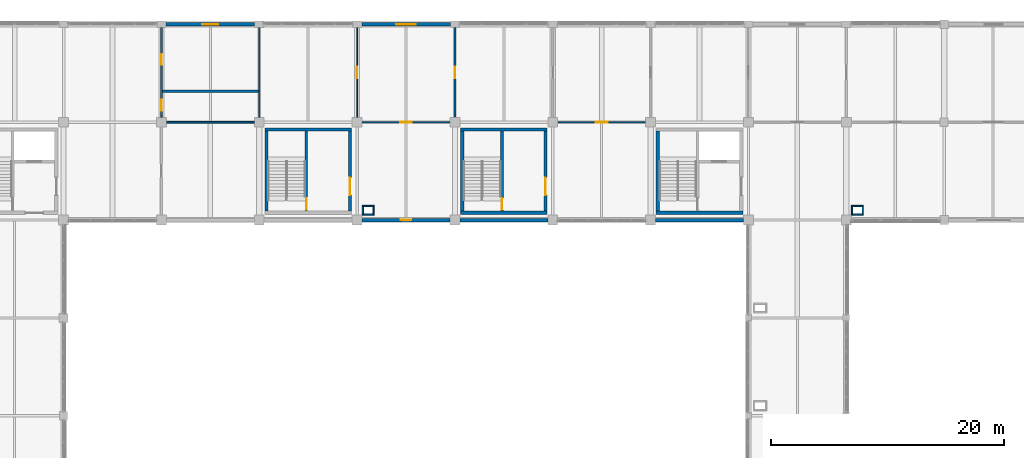
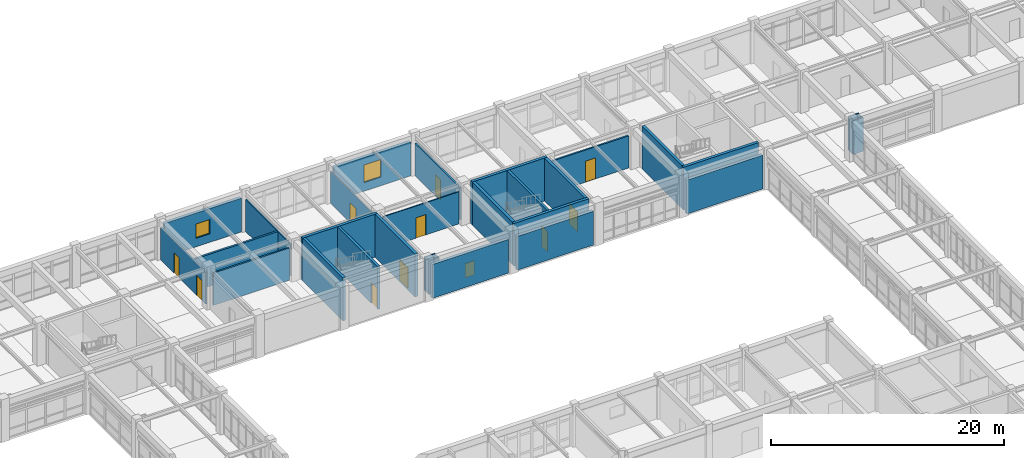
# One storey, part 68 of 78: 32 walls, 10 doors, 3 windows, 13 openings.
"""IFC4 building model written with IfcOpenShell, lengths in metres."""

from ifc_helpers import new_model, si_unit, direction, frame, frame_2d, origin, place, context, subcontext, project, spatial, rectangle, extrude, material, layer, layer_set, type_object, element, fill, save


model = new_model("IFC4")

# Units and contexts
model_context = context("Model", 3, precision=1e-05, world=origin(), true_north=direction((0.0, 1.0)))
body_context = subcontext(model_context, "Body", "Model", "MODEL_VIEW")
ifc_project = project(units=[si_unit("LENGTHUNIT", "METRE"), si_unit("AREAUNIT", "SQUARE_METRE"), si_unit("VOLUMEUNIT", "CUBIC_METRE"), si_unit("PLANEANGLEUNIT", "RADIAN"), si_unit("MASSUNIT", "GRAM", prefix="KILO")], contexts=[model_context])

# Site, building, storey
site_placement = place(None, origin())
site = spatial("IfcSite", under=ifc_project, at=site_placement, CompositionType="ELEMENT")
building_placement = place(site_placement, origin())
building = spatial("IfcBuilding", under=site, at=building_placement, Name="Porcellanite Civic Hall", CompositionType="ELEMENT")
storey_placement = place(building_placement, frame((0.0, 0.0, 10.260009765625)))
storey = spatial("IfcBuildingStorey", under=building, at=storey_placement, Name="L02", CompositionType="ELEMENT", Elevation=10.260009765625)

# Wall, opening, door
ifc_material_1 = material(Name="Concrete N40 (40 MPa)", Category="concrete")
ifc_layer_1 = layer(ifc_material_1, 0.239990234375)
ifc_layer_set_1 = layer_set([ifc_layer_1], Name="Concrete N40 (40 MPa)")
wall_type_1 = type_object("IfcWallType", Name="CW-SH240", PredefinedType="SHEAR", material=ifc_layer_set_1)
wall_1_placement = place(storey_placement, frame((79.639892578125, 101.56005859375, 0.0), z_axis=(0.0, 0.0, 1.0), x_axis=(0.0, 1.0, 0.0)))
wall_1 = element("IfcWall", 1, at=wall_1_placement, inside=storey, type_object=wall_type_1, Name="Core divider S9 L02", PredefinedType="SHEAR", context=body_context, shape_type="SweptSolid", body=[
    extrude(rectangle(XDim=6.8798828125, YDim=0.239990234375, at=frame_2d((3.43994140625, 0.0))), origin(), (0.0, 0.0, 1.0), 4.5),
])
opening_1_placement = place(wall_1_placement, frame((0.1201171875, 0.0, 0.0)))
opening_1 = element("IfcOpeningElement", 2, at=opening_1_placement, cuts=wall_1, Name="Opening FD-S9-L02-ST", PredefinedType="OPENING", context=body_context, shape_type="SweptSolid", body=[
    extrude(rectangle(XDim=1.0, YDim=2.14990234375, at=frame_2d((0.5, 1.074951171875))), frame((0.0, 0.1201171875, 0.0), z_axis=(0.0, -1.0, 0.0), x_axis=(1.0, 0.0, 0.0)), (0.0, 0.0, 1.0), 0.239990234375),
])
ifc_material_2 = material(Name="Fire-rated solid-core hardwood timber", Category="wood")
door_type_1 = type_object("IfcDoorType", Name="DR-FD100", OperationType="NOTDEFINED", PredefinedType="DOOR", material=ifc_material_2)
door_1_placement = place(opening_1_placement, origin())
door_1 = element("IfcDoor", 3, at=door_1_placement, inside=storey, type_object=door_type_1, Name="Fire stair door FD-S9-L02-ST", OperationType="SINGLE_SWING_RIGHT", OverallHeight=2.14990234375, OverallWidth=1.0, PredefinedType="DOOR", context=body_context, shape_type="SweptSolid", body=[
    extrude(rectangle(XDim=1.0, YDim=2.14990234375, at=frame_2d((0.5, 1.074951171875))), frame((0.0, 0.02490234375, 0.0), z_axis=(0.0, -1.0, 0.0), x_axis=(1.0, 0.0, 0.0)), (0.0, 0.0, 1.0), 0.050048828125),
])
fill(opening_1, door_1)

wall_2_placement = place(storey_placement, frame((96.43994140625, 101.56005859375, 0.0), z_axis=(0.0, 0.0, 1.0), x_axis=(0.0, 1.0, 0.0)))
wall_2 = element("IfcWall", 4, at=wall_2_placement, inside=storey, type_object=wall_type_1, Name="Core divider S10 L02", PredefinedType="SHEAR", context=body_context, shape_type="SweptSolid", body=[
    extrude(rectangle(XDim=6.8798828125, YDim=0.239990234375, at=frame_2d((3.43994140625, 0.0))), origin(), (0.0, 0.0, 1.0), 4.5),
])
opening_2_placement = place(wall_2_placement, frame((0.1201171875, 0.0, 0.0)))
opening_2 = element("IfcOpeningElement", 5, at=opening_2_placement, cuts=wall_2, Name="Opening FD-S10-L02-ST", PredefinedType="OPENING", context=body_context, shape_type="SweptSolid", body=[
    extrude(rectangle(XDim=1.0, YDim=2.14990234375, at=frame_2d((0.5, 1.074951171875))), frame((0.0, 0.1201171875, 0.0), z_axis=(0.0, -1.0, 0.0), x_axis=(1.0, 0.0, 0.0)), (0.0, 0.0, 1.0), 0.239990234375),
])
door_2_placement = place(opening_2_placement, origin())
door_2 = element("IfcDoor", 6, at=door_2_placement, inside=storey, type_object=door_type_1, Name="Fire stair door FD-S10-L02-ST", OperationType="SINGLE_SWING_LEFT", OverallHeight=2.14990234375, OverallWidth=1.0, PredefinedType="DOOR", context=body_context, shape_type="SweptSolid", body=[
    extrude(rectangle(XDim=1.0, YDim=2.14990234375, at=frame_2d((0.5, 1.074951171875))), frame((0.0, 0.02490234375, 0.0), z_axis=(0.0, -1.0, 0.0), x_axis=(1.0, 0.0, 0.0)), (0.0, 0.0, 1.0), 0.050048828125),
])
fill(opening_2, door_2)

# Walls
ifc_material_3 = material(Name="Concrete N40 (40 MPa)", Category="concrete")
ifc_layer_2 = layer(ifc_material_3, 0.280029296875)
ifc_layer_set_2 = layer_set([ifc_layer_2], Name="Concrete N40 (40 MPa)")
wall_type_2 = type_object("IfcWallType", Name="CW-SH280", PredefinedType="SHEAR", material=ifc_layer_set_2)
wall_3_placement = place(storey_placement, frame((117.1201171875, 101.419921875, 0.0), z_axis=(0.0, 0.0, 1.0), x_axis=(-1.0, 0.0, 0.0)))
element("IfcWall", 7, at=wall_3_placement, inside=storey, type_object=wall_type_2, Name="Core wall C4 L02 S", PredefinedType="SHEAR", context=body_context, shape_type="SweptSolid", body=[
    extrude(rectangle(XDim=7.440185546875, YDim=0.280029296875, at=frame_2d((3.72021484375, 0.0))), origin(), (0.0, 0.0, 1.0), 4.5),
])
for number, where, z_axis, x_axis, name in (
    (8, (109.820068359375, 101.56005859375, 0.0), (0.0, 0.0, 1.0), (0.0, 1.0, 0.0), "Core wall C4 L02 W"),
    (9, (76.219970703125, 101.56005859375, 0.0), (0.0, 0.0, 1.0), (0.0, 1.0, 0.0), "Core wall S9 L02 W"),
):
    element("IfcWall", number, at=place(storey_placement, frame(where, z_axis=z_axis, x_axis=x_axis)), inside=storey, type_object=wall_type_2, Name=name, PredefinedType="SHEAR", context=body_context, shape_type="SweptSolid", body=[
        extrude(rectangle(XDim=6.8798828125, YDim=0.280029296875, at=frame_2d((3.43994140625, 0.0))), origin(), (0.0, 0.0, 1.0), 4.5),
    ])
wall_4_placement = place(storey_placement, frame((76.080078125, 108.580078125, 0.0), z_axis=(0.0, 0.0, 1.0), x_axis=(1.0, 0.0, 0.0)))
element("IfcWall", 10, at=wall_4_placement, inside=storey, type_object=wall_type_2, Name="Core wall S9 L02 N", PredefinedType="SHEAR", context=body_context, shape_type="SweptSolid", body=[
    extrude(rectangle(XDim=7.43994140625, YDim=0.280029296875, at=frame_2d((3.719970703125, 0.0))), origin(), (0.0, 0.0, 1.0), 4.5),
])

# Wall, opening, door
wall_5_placement = place(storey_placement, frame((83.3798828125, 108.43994140625, 0.0), z_axis=(0.0, 0.0, 1.0), x_axis=(0.0, -1.0, 0.0)))
wall_5 = element("IfcWall", 11, at=wall_5_placement, inside=storey, type_object=wall_type_2, Name="Core wall S9 L02 E", PredefinedType="SHEAR", context=body_context, shape_type="SweptSolid", body=[
    extrude(rectangle(XDim=6.8798828125, YDim=0.280029296875, at=frame_2d((3.43994140625, 0.0))), origin(), (0.0, 0.0, 1.0), 4.5),
])
opening_3_placement = place(wall_5_placement, frame((3.989990234375, 0.0, 0.0)))
opening_3 = element("IfcOpeningElement", 12, at=opening_3_placement, cuts=wall_5, Name="Opening FD-S9-L02-LB", PredefinedType="OPENING", context=body_context, shape_type="SweptSolid", body=[
    extrude(rectangle(XDim=1.5, YDim=2.14990234375, at=frame_2d((0.75, 1.074951171875))), frame((0.0, 0.14013671875, 0.0), z_axis=(0.0, -1.0, 0.0), x_axis=(1.0, 0.0, 0.0)), (0.0, 0.0, 1.0), 0.280029296875),
])
ifc_material_4 = material(Name="Fire-rated steel and Georgian wired glass", Category="steel")
door_type_2 = type_object("IfcDoorType", Name="DR-FD150", OperationType="DOUBLE_DOOR_SINGLE_SWING", PredefinedType="DOOR", material=ifc_material_4)
door_3_placement = place(opening_3_placement, origin())
door_3 = element("IfcDoor", 13, at=door_3_placement, inside=storey, type_object=door_type_2, Name="Fire lobby double door FD-S9-L02-LB", OperationType="DOUBLE_DOOR_SINGLE_SWING", OverallHeight=2.14990234375, OverallWidth=1.5, PredefinedType="DOOR", context=body_context, shape_type="SweptSolid", body=[
    extrude(rectangle(XDim=1.5, YDim=2.14990234375, at=frame_2d((0.75, 1.074951171875))), frame((0.0, 0.02490234375, 0.0), z_axis=(0.0, -1.0, 0.0), x_axis=(1.0, 0.0, 0.0)), (0.0, 0.0, 1.0), 0.050048828125),
])
fill(opening_3, door_3)

# Walls
wall_6_placement = place(storey_placement, frame((100.320068359375, 101.419921875, 0.0), z_axis=(0.0, 0.0, 1.0), x_axis=(-1.0, 0.0, 0.0)))
element("IfcWall", 14, at=wall_6_placement, inside=storey, type_object=wall_type_2, Name="Core wall S10 L02 S", PredefinedType="SHEAR", context=body_context, shape_type="SweptSolid", body=[
    extrude(rectangle(XDim=7.440185546875, YDim=0.280029296875, at=frame_2d((3.72021484375, 0.0))), origin(), (0.0, 0.0, 1.0), 4.5),
])
wall_7_placement = place(storey_placement, frame((93.02001953125, 101.56005859375, 0.0), z_axis=(0.0, 0.0, 1.0), x_axis=(0.0, 1.0, 0.0)))
element("IfcWall", 15, at=wall_7_placement, inside=storey, type_object=wall_type_2, Name="Core wall S10 L02 W", PredefinedType="SHEAR", context=body_context, shape_type="SweptSolid", body=[
    extrude(rectangle(XDim=6.8798828125, YDim=0.280029296875, at=frame_2d((3.43994140625, 0.0))), origin(), (0.0, 0.0, 1.0), 4.5),
])
wall_8_placement = place(storey_placement, frame((92.8798828125, 108.580078125, 0.0), z_axis=(0.0, 0.0, 1.0), x_axis=(1.0, 0.0, 0.0)))
element("IfcWall", 16, at=wall_8_placement, inside=storey, type_object=wall_type_2, Name="Core wall S10 L02 N", PredefinedType="SHEAR", context=body_context, shape_type="SweptSolid", body=[
    extrude(rectangle(XDim=7.440185546875, YDim=0.280029296875, at=frame_2d((3.72021484375, 0.0))), origin(), (0.0, 0.0, 1.0), 4.5),
])

# Wall, opening, door
wall_9_placement = place(storey_placement, frame((100.179931640625, 108.43994140625, 0.0), z_axis=(0.0, 0.0, 1.0), x_axis=(0.0, -1.0, 0.0)))
wall_9 = element("IfcWall", 17, at=wall_9_placement, inside=storey, type_object=wall_type_2, Name="Core wall S10 L02 E", PredefinedType="SHEAR", context=body_context, shape_type="SweptSolid", body=[
    extrude(rectangle(XDim=6.8798828125, YDim=0.280029296875, at=frame_2d((3.43994140625, 0.0))), origin(), (0.0, 0.0, 1.0), 4.5),
])
opening_4_placement = place(wall_9_placement, frame((3.989990234375, 0.0, 0.0)))
opening_4 = element("IfcOpeningElement", 18, at=opening_4_placement, cuts=wall_9, Name="Opening FD-S10-L02-LB", PredefinedType="OPENING", context=body_context, shape_type="SweptSolid", body=[
    extrude(rectangle(XDim=1.5, YDim=2.14990234375, at=frame_2d((0.75, 1.074951171875))), frame((0.0, 0.14013671875, 0.0), z_axis=(0.0, -1.0, 0.0), x_axis=(1.0, 0.0, 0.0)), (0.0, 0.0, 1.0), 0.280029296875),
])
door_4_placement = place(opening_4_placement, origin())
door_4 = element("IfcDoor", 19, at=door_4_placement, inside=storey, type_object=door_type_2, Name="Fire lobby double door FD-S10-L02-LB", OperationType="DOUBLE_DOOR_SINGLE_SWING", OverallHeight=2.14990234375, OverallWidth=1.5, PredefinedType="DOOR", context=body_context, shape_type="SweptSolid", body=[
    extrude(rectangle(XDim=1.5, YDim=2.14990234375, at=frame_2d((0.75, 1.074951171875))), frame((0.0, 0.02490234375, 0.0), z_axis=(0.0, -1.0, 0.0), x_axis=(1.0, 0.0, 0.0)), (0.0, 0.0, 1.0), 0.050048828125),
])
fill(opening_4, door_4)

# Wall, opening, window
ifc_material_5 = material(Name="Precast concrete N40 (40 MPa)", Category="concrete")
ifc_layer_3 = layer(ifc_material_5, 0.300048828125)
ifc_layer_set_3 = layer_set([ifc_layer_3], Name="Precast concrete N40 (40 MPa)")
wall_type_3 = type_object("IfcWallType", Name="EW-ADM300", PredefinedType="SOLIDWALL", material=ifc_layer_set_3)
wall_10_placement = place(storey_placement, frame((67.60107421875, 117.60009765625, 0.0), z_axis=(0.0, 0.0, 1.0), x_axis=(1.0, 0.0, 0.0)))
wall_10 = element("IfcWall", 20, at=wall_10_placement, inside=storey, type_object=wall_type_3, Name="Exterior wall L02 N 9-14", PredefinedType="SOLIDWALL", context=body_context, shape_type="SweptSolid", body=[
    extrude(rectangle(XDim=7.597900390625, YDim=0.300048828125, at=frame_2d((3.798828125, 0.0))), origin(), (0.0, 0.0, 1.0), 3.5400390625),
])
opening_5_placement = place(wall_10_placement, frame((3.1240234375, 0.0, 0.89990234375)))
opening_5 = element("IfcOpeningElement", 21, at=opening_5_placement, cuts=wall_10, Name="Opening W23", PredefinedType="OPENING", context=body_context, shape_type="SweptSolid", body=[
    extrude(rectangle(XDim=1.35009765625, YDim=1.5, at=frame_2d((0.675048828125, 0.75))), frame((0.0, 0.14990234375, 0.0), z_axis=(0.0, -1.0, 0.0), x_axis=(1.0, 0.0, 0.0)), (0.0, 0.0, 1.0), 0.300048828125),
])
ifc_material_6 = material(Name="Cyclone laminated low-E glazing in anodised aluminium frame", Category="aluminium")
window_type_1 = type_object("IfcWindowType", Name="WN-23", PartitioningType="SINGLE_PANEL", PredefinedType="WINDOW", material=ifc_material_6)
window_1_placement = place(opening_5_placement, origin())
window_1 = element("IfcWindow", 22, at=window_1_placement, inside=storey, type_object=window_type_1, Name="Window W23 L02 N 9-14", OverallHeight=1.5, OverallWidth=1.35009765625, PartitioningType="SINGLE_PANEL", PredefinedType="WINDOW", context=body_context, shape_type="SweptSolid", body=[
    extrude(rectangle(XDim=1.35009765625, YDim=1.5, at=frame_2d((0.675048828125, 0.75))), frame((0.0, 0.030029296875, 0.0), z_axis=(0.0, -1.0, 0.0), x_axis=(1.0, 0.0, 0.0)), (0.0, 0.0, 1.0), 0.06005859375),
])
fill(opening_5, window_1)

wall_11_placement = place(storey_placement, frame((91.97412109375, 100.800048828125, 0.0), z_axis=(0.0, 0.0, 1.0), x_axis=(-1.0, 0.0, 0.0)))
wall_11 = element("IfcWall", 23, at=wall_11_placement, inside=storey, type_object=wall_type_3, Name="Exterior wall L02 S 11-13", PredefinedType="SOLIDWALL", context=body_context, shape_type="SweptSolid", body=[
    extrude(rectangle(XDim=7.548095703125, YDim=0.300048828125, at=frame_2d((3.77392578125, 0.0))), origin(), (0.0, 0.0, 1.0), 3.5400390625),
])
opening_6_placement = place(wall_11_placement, frame((3.323974609375, 0.0, 0.89990234375)))
opening_6 = element("IfcOpeningElement", 24, at=opening_6_placement, cuts=wall_11, Name="Opening W26", PredefinedType="OPENING", context=body_context, shape_type="SweptSolid", body=[
    extrude(rectangle(XDim=0.89990234375, YDim=1.5, at=frame_2d((0.449951171875, 0.75))), frame((0.0, 0.14990234375, 0.0), z_axis=(0.0, -1.0, 0.0), x_axis=(1.0, 0.0, 0.0)), (0.0, 0.0, 1.0), 0.300048828125),
])
ifc_material_7 = material(Name="Cyclone laminated low-E glazing in anodised aluminium frame", Category="aluminium")
window_type_2 = type_object("IfcWindowType", Name="WN-26", PartitioningType="SINGLE_PANEL", PredefinedType="WINDOW", material=ifc_material_7)
window_2_placement = place(opening_6_placement, origin())
window_2 = element("IfcWindow", 25, at=window_2_placement, inside=storey, type_object=window_type_2, Name="Window W26 L02 S 11-13", OverallHeight=1.5, OverallWidth=0.89990234375, PartitioningType="SINGLE_PANEL", PredefinedType="WINDOW", context=body_context, shape_type="SweptSolid", body=[
    extrude(rectangle(XDim=0.89990234375, YDim=1.5, at=frame_2d((0.449951171875, 0.75))), frame((0.0, 0.030029296875, 0.0), z_axis=(0.0, -1.0, 0.0), x_axis=(1.0, 0.0, 0.0)), (0.0, 0.0, 1.0), 0.06005859375),
])
fill(opening_6, window_2)

wall_12_placement = place(storey_placement, frame((84.40087890625, 117.60009765625, 0.0), z_axis=(0.0, 0.0, 1.0), x_axis=(1.0, 0.0, 0.0)))
wall_12 = element("IfcWall", 26, at=wall_12_placement, inside=storey, type_object=wall_type_3, Name="Exterior wall L02 N 11-14", PredefinedType="SOLIDWALL", context=body_context, shape_type="SweptSolid", body=[
    extrude(rectangle(XDim=7.59814453125, YDim=0.300048828125, at=frame_2d((3.799072265625, 0.0))), origin(), (0.0, 0.0, 1.0), 3.5400390625),
])
opening_7_placement = place(wall_12_placement, frame((2.948974609375, 0.0, 0.89990234375)))
opening_7 = element("IfcOpeningElement", 27, at=opening_7_placement, cuts=wall_12, Name="Opening W27", PredefinedType="OPENING", context=body_context, shape_type="SweptSolid", body=[
    extrude(rectangle(XDim=1.699951171875, YDim=1.85009765625, at=frame_2d((0.85009765625, 0.925048828125))), frame((0.0, 0.14990234375, 0.0), z_axis=(0.0, -1.0, 0.0), x_axis=(1.0, 0.0, 0.0)), (0.0, 0.0, 1.0), 0.300048828125),
])
ifc_material_8 = material(Name="Cyclone laminated low-E glazing in anodised aluminium frame", Category="aluminium")
window_type_3 = type_object("IfcWindowType", Name="WN-27", PartitioningType="DOUBLE_PANEL_VERTICAL", PredefinedType="WINDOW", material=ifc_material_8)
window_3_placement = place(opening_7_placement, origin())
window_3 = element("IfcWindow", 28, at=window_3_placement, inside=storey, type_object=window_type_3, Name="Window W27 L02 N 11-14", OverallHeight=1.85009765625, OverallWidth=1.699951171875, PartitioningType="SINGLE_PANEL", PredefinedType="WINDOW", context=body_context, shape_type="SweptSolid", body=[
    extrude(rectangle(XDim=1.699951171875, YDim=1.85009765625, at=frame_2d((0.85009765625, 0.925048828125))), frame((0.0, 0.030029296875, 0.0), z_axis=(0.0, -1.0, 0.0), x_axis=(1.0, 0.0, 0.0)), (0.0, 0.0, 1.0), 0.06005859375),
])
fill(opening_7, window_3)

# Walls
for number, where, z_axis, x_axis, name in (
    (29, (100.3740234375, 100.800048828125, 0.0), (0.0, 0.0, 1.0), (-1.0, 0.0, 0.0), "Exterior wall L02 S 12-13"),
    (30, (117.174072265625, 100.800048828125, 0.0), (0.0, 0.0, 1.0), (-1.0, 0.0, 0.0), "Exterior wall L02 S 14-13"),
):
    element("IfcWall", number, at=place(storey_placement, frame(where, z_axis=z_axis, x_axis=x_axis)), inside=storey, type_object=wall_type_3, Name=name, PredefinedType="SOLIDWALL", context=body_context, shape_type="SweptSolid", body=[
        extrude(rectangle(XDim=7.548095703125, YDim=0.300048828125, at=frame_2d((3.77392578125, 0.0))), origin(), (0.0, 0.0, 1.0), 3.5400390625),
    ])
ifc_material_9 = material(Name="Fire-rated shaftwall plasterboard on steel studs", Category="steel")
ifc_layer_4 = layer(ifc_material_9, 0.117919921875)
ifc_layer_set_4 = layer_set([ifc_layer_4], Name="Fire-rated shaftwall plasterboard on steel studs")
wall_type_4 = type_object("IfcWallType", Name="IW-FR118", PredefinedType="PARTITIONING", material=ifc_layer_set_4)
for number, where, z_axis, x_axis, name in (
    (31, (84.431884765625, 101.291015625, 0.0), (0.0, 0.0, 1.0), (1.0, 0.0, 0.0), "Fire riser shaftwall S L02 10-12"),
    (32, (84.431884765625, 102.009033203125, 0.0), (0.0, 0.0, 1.0), (1.0, 0.0, 0.0), "Fire riser shaftwall N L02 10-12"),
):
    element("IfcWall", number, at=place(storey_placement, frame(where, z_axis=z_axis, x_axis=x_axis)), inside=storey, type_object=wall_type_4, Name=name, PredefinedType="PARTITIONING", context=body_context, shape_type="SweptSolid", body=[
        extrude(rectangle(XDim=1.0361328125, YDim=0.117919921875, at=frame_2d((0.51806640625, 0.0))), origin(), (0.0, 0.0, 1.0), 3.530029296875),
    ])
for number, where, z_axis, x_axis, name in (
    (33, (84.490966796875, 101.35009765625, 0.0), (0.0, 0.0, 1.0), (0.0, 1.0, 0.0), "Fire riser shaftwall W L02 10-12"),
    (34, (85.408935546875, 101.35009765625, 0.0), (0.0, 0.0, 1.0), (0.0, 1.0, 0.0), "Fire riser shaftwall E L02 10-12"),
):
    element("IfcWall", number, at=place(storey_placement, frame(where, z_axis=z_axis, x_axis=x_axis)), inside=storey, type_object=wall_type_4, Name=name, PredefinedType="PARTITIONING", context=body_context, shape_type="SweptSolid", body=[
        extrude(rectangle(XDim=0.599853515625, YDim=0.117919921875, at=frame_2d((0.2998046875, 0.0))), origin(), (0.0, 0.0, 1.0), 3.530029296875),
    ])
for number, where, z_axis, x_axis, name in (
    (35, (126.431884765625, 101.291015625, 0.0), (0.0, 0.0, 1.0), (1.0, 0.0, 0.0), "Fire riser shaftwall S L02 15-12"),
    (36, (126.431884765625, 102.009033203125, 0.0), (0.0, 0.0, 1.0), (1.0, 0.0, 0.0), "Fire riser shaftwall N L02 15-12"),
):
    element("IfcWall", number, at=place(storey_placement, frame(where, z_axis=z_axis, x_axis=x_axis)), inside=storey, type_object=wall_type_4, Name=name, PredefinedType="PARTITIONING", context=body_context, shape_type="SweptSolid", body=[
        extrude(rectangle(XDim=1.0361328125, YDim=0.117919921875, at=frame_2d((0.51806640625, 0.0))), origin(), (0.0, 0.0, 1.0), 3.530029296875),
    ])
for number, where, z_axis, x_axis, name in (
    (37, (126.490966796875, 101.35009765625, 0.0), (0.0, 0.0, 1.0), (0.0, 1.0, 0.0), "Fire riser shaftwall W L02 15-12"),
    (38, (127.408935546875, 101.35009765625, 0.0), (0.0, 0.0, 1.0), (0.0, 1.0, 0.0), "Fire riser shaftwall E L02 15-12"),
):
    element("IfcWall", number, at=place(storey_placement, frame(where, z_axis=z_axis, x_axis=x_axis)), inside=storey, type_object=wall_type_4, Name=name, PredefinedType="PARTITIONING", context=body_context, shape_type="SweptSolid", body=[
        extrude(rectangle(XDim=0.599853515625, YDim=0.117919921875, at=frame_2d((0.2998046875, 0.0))), origin(), (0.0, 0.0, 1.0), 3.530029296875),
    ])

# Wall, opening, door
ifc_material_10 = material(Name="Insulated acoustic plasterboard on light-gauge steel studs", Category="steel")
ifc_layer_5 = layer(ifc_material_10, 0.087890625)
ifc_layer_set_5 = layer_set([ifc_layer_5], Name="Insulated acoustic plasterboard on light-gauge steel studs")
wall_type_5 = type_object("IfcWallType", Name="IW-PT088", PredefinedType="PARTITIONING", material=ifc_layer_set_5)
wall_13_placement = place(storey_placement, frame((84.0, 109.626953125, 0.0), z_axis=(0.0, 0.0, 1.0), x_axis=(0.0, 1.0, 0.0)))
wall_13 = element("IfcWall", 39, at=wall_13_placement, inside=storey, type_object=wall_type_5, Name="Partition L02 V 10-14", PredefinedType="PARTITIONING", context=body_context, shape_type="SweptSolid", body=[
    extrude(rectangle(XDim=7.696044921875, YDim=0.087890625, at=frame_2d((3.84814453125, 0.0))), origin(), (0.0, 0.0, 1.0), 3.369873046875),
])
opening_8_placement = place(wall_13_placement, frame((3.343017578125, 0.0, 0.0)))
opening_8 = element("IfcOpeningElement", 40, at=opening_8_placement, cuts=wall_13, Name="Opening D-L02-374", PredefinedType="OPENING", context=body_context, shape_type="SweptSolid", body=[
    extrude(rectangle(XDim=1.010009765625, YDim=2.1201171875, at=frame_2d((0.5048828125, 1.06005859375))), frame((0.0, 0.0439453125, 0.0), z_axis=(0.0, -1.0, 0.0), x_axis=(1.0, 0.0, 0.0)), (0.0, 0.0, 1.0), 0.087890625),
])
ifc_material_11 = material(Name="Solid-core spotted-gum timber", Category="wood")
door_type_3 = type_object("IfcDoorType", Name="DR-RM101", OperationType="NOTDEFINED", PredefinedType="DOOR", material=ifc_material_11)
door_5_placement = place(opening_8_placement, origin())
door_5 = element("IfcDoor", 41, at=door_5_placement, inside=storey, type_object=door_type_3, Name="Interior door D-L02-374", OperationType="SINGLE_SWING_RIGHT", OverallHeight=2.1201171875, OverallWidth=1.010009765625, PredefinedType="DOOR", context=body_context, shape_type="SweptSolid", body=[
    extrude(rectangle(XDim=1.010009765625, YDim=2.1201171875, at=frame_2d((0.5048828125, 1.06005859375))), frame((0.0, 0.02490234375, 0.0), z_axis=(0.0, -1.0, 0.0), x_axis=(1.0, 0.0, 0.0)), (0.0, 0.0, 1.0), 0.050048828125),
])
fill(opening_8, door_5)

ifc_material_12 = material(Name="Insulated acoustic plasterboard on light-gauge steel studs", Category="steel")
ifc_layer_6 = layer(ifc_material_12, 0.10498046875)
ifc_layer_set_6 = layer_set([ifc_layer_6], Name="Insulated acoustic plasterboard on light-gauge steel studs")
wall_type_6 = type_object("IfcWallType", Name="IW-PT105", PredefinedType="PARTITIONING", material=ifc_layer_set_6)
wall_14_placement = place(storey_placement, frame((84.427001953125, 109.199951171875, 0.0), z_axis=(0.0, 0.0, 1.0), x_axis=(1.0, 0.0, 0.0)))
wall_14 = element("IfcWall", 42, at=wall_14_placement, inside=storey, type_object=wall_type_6, Name="Partition L02 H 11-13", PredefinedType="PARTITIONING", context=body_context, shape_type="SweptSolid", body=[
    extrude(rectangle(XDim=7.5458984375, YDim=0.10498046875, at=frame_2d((3.77294921875, 0.0))), origin(), (0.0, 0.0, 1.0), 3.369873046875),
])
opening_9_placement = place(wall_14_placement, frame((3.2880859375, 0.0, 0.0)))
opening_9 = element("IfcOpeningElement", 43, at=opening_9_placement, cuts=wall_14, Name="Opening D-L02-336", PredefinedType="OPENING", context=body_context, shape_type="SweptSolid", body=[
    extrude(rectangle(XDim=0.969970703125, YDim=2.1201171875, at=frame_2d((0.48486328125, 1.06005859375))), frame((0.0, 0.052490234375, 0.0), z_axis=(0.0, -1.0, 0.0), x_axis=(1.0, 0.0, 0.0)), (0.0, 0.0, 1.0), 0.10498046875),
])
ifc_material_13 = material(Name="Solid-core spotted-gum timber", Category="wood")
door_type_4 = type_object("IfcDoorType", Name="DR-RM097", OperationType="NOTDEFINED", PredefinedType="DOOR", material=ifc_material_13)
door_6_placement = place(opening_9_placement, origin())
door_6 = element("IfcDoor", 44, at=door_6_placement, inside=storey, type_object=door_type_4, Name="Interior door D-L02-336", OperationType="SINGLE_SWING_LEFT", OverallHeight=2.1201171875, OverallWidth=0.969970703125, PredefinedType="DOOR", context=body_context, shape_type="SweptSolid", body=[
    extrude(rectangle(XDim=0.969970703125, YDim=2.1201171875, at=frame_2d((0.48486328125, 1.06005859375))), frame((0.0, 0.02490234375, 0.0), z_axis=(0.0, -1.0, 0.0), x_axis=(1.0, 0.0, 0.0)), (0.0, 0.0, 1.0), 0.050048828125),
])
fill(opening_9, door_6)

# Wall
ifc_material_14 = material(Name="Insulated acoustic plasterboard on light-gauge steel studs", Category="steel")
ifc_layer_7 = layer(ifc_material_14, 0.114990234375)
ifc_layer_set_7 = layer_set([ifc_layer_7], Name="Insulated acoustic plasterboard on light-gauge steel studs")
wall_type_7 = type_object("IfcWallType", Name="IW-PT115", PredefinedType="PARTITIONING", material=ifc_layer_set_7)
wall_15_placement = place(storey_placement, frame((75.60009765625, 109.626953125, 0.0), z_axis=(0.0, 0.0, 1.0), x_axis=(0.0, 1.0, 0.0)))
element("IfcWall", 45, at=wall_15_placement, inside=storey, type_object=wall_type_7, Name="Partition L02 V 9-14", PredefinedType="PARTITIONING", context=body_context, shape_type="SweptSolid", body=[
    extrude(rectangle(XDim=7.696044921875, YDim=0.114990234375, at=frame_2d((3.84814453125, 0.0))), origin(), (0.0, 0.0, 1.0), 3.369873046875),
])

# Wall, openings, doors
ifc_material_15 = material(Name="Insulated acoustic plasterboard on light-gauge steel studs", Category="steel")
ifc_layer_8 = layer(ifc_material_15, 0.14501953125)
ifc_layer_set_8 = layer_set([ifc_layer_8], Name="Insulated acoustic plasterboard on light-gauge steel studs")
wall_type_8 = type_object("IfcWallType", Name="IW-PT145", PredefinedType="PARTITIONING", material=ifc_layer_set_8)
wall_16_placement = place(storey_placement, frame((67.199951171875, 109.626953125, 0.0), z_axis=(0.0, 0.0, 1.0), x_axis=(0.0, 1.0, 0.0)))
wall_16 = element("IfcWall", 46, at=wall_16_placement, inside=storey, type_object=wall_type_8, Name="Partition L02 V 8-14", PredefinedType="PARTITIONING", context=body_context, shape_type="SweptSolid", body=[
    extrude(rectangle(XDim=7.696044921875, YDim=0.14501953125, at=frame_2d((3.84814453125, 0.0))), origin(), (0.0, 0.0, 1.0), 3.369873046875),
])
opening_10_placement = place(wall_16_placement, frame((0.55810546875, 0.0, 0.0)))
opening_10 = element("IfcOpeningElement", 47, at=opening_10_placement, cuts=wall_16, Name="Opening D-L02-316", PredefinedType="OPENING", context=body_context, shape_type="SweptSolid", body=[
    extrude(rectangle(XDim=0.9599609375, YDim=2.10009765625, at=frame_2d((0.47998046875, 1.050048828125))), frame((0.0, 0.072509765625, 0.0), z_axis=(0.0, -1.0, 0.0), x_axis=(1.0, 0.0, 0.0)), (0.0, 0.0, 1.0), 0.14501953125),
])
opening_11_placement = place(wall_16_placement, frame((4.498046875, 0.0, 0.0)))
opening_11 = element("IfcOpeningElement", 48, at=opening_11_placement, cuts=wall_16, Name="Opening D-L02-317", PredefinedType="OPENING", context=body_context, shape_type="SweptSolid", body=[
    extrude(rectangle(XDim=0.919921875, YDim=2.10009765625, at=frame_2d((0.4599609375, 1.050048828125))), frame((0.0, 0.072509765625, 0.0), z_axis=(0.0, -1.0, 0.0), x_axis=(1.0, 0.0, 0.0)), (0.0, 0.0, 1.0), 0.14501953125),
])
ifc_material_16 = material(Name="Moisture-resistant laminate solid-core timber", Category="wood")
door_type_5 = type_object("IfcDoorType", Name="DR-WC092", OperationType="NOTDEFINED", PredefinedType="DOOR", material=ifc_material_16)
door_7_placement = place(opening_11_placement, origin())
door_7 = element("IfcDoor", 49, at=door_7_placement, inside=storey, type_object=door_type_5, Name="Interior door D-L02-317", OperationType="SINGLE_SWING_LEFT", OverallHeight=2.10009765625, OverallWidth=0.919921875, PredefinedType="DOOR", context=body_context, shape_type="SweptSolid", body=[
    extrude(rectangle(XDim=0.919921875, YDim=2.10009765625, at=frame_2d((0.4599609375, 1.050048828125))), frame((0.0, 0.02490234375, 0.0), z_axis=(0.0, -1.0, 0.0), x_axis=(1.0, 0.0, 0.0)), (0.0, 0.0, 1.0), 0.050048828125),
])
fill(opening_11, door_7)
ifc_material_17 = material(Name="Moisture-resistant laminate solid-core timber", Category="wood")
door_type_6 = type_object("IfcDoorType", Name="DR-WC096", OperationType="NOTDEFINED", PredefinedType="DOOR", material=ifc_material_17)
door_8_placement = place(opening_10_placement, origin())
door_8 = element("IfcDoor", 50, at=door_8_placement, inside=storey, type_object=door_type_6, Name="Interior door D-L02-316", OperationType="SINGLE_SWING_RIGHT", OverallHeight=2.10009765625, OverallWidth=0.9599609375, PredefinedType="DOOR", context=body_context, shape_type="SweptSolid", body=[
    extrude(rectangle(XDim=0.9599609375, YDim=2.10009765625, at=frame_2d((0.47998046875, 1.050048828125))), frame((0.0, 0.02490234375, 0.0), z_axis=(0.0, -1.0, 0.0), x_axis=(1.0, 0.0, 0.0)), (0.0, 0.0, 1.0), 0.050048828125),
])
fill(opening_10, door_8)

# Wall
ifc_material_18 = material(Name="Insulated acoustic plasterboard on light-gauge steel studs", Category="steel")
ifc_layer_9 = layer(ifc_material_18, 0.1650390625)
ifc_layer_set_9 = layer_set([ifc_layer_9], Name="Insulated acoustic plasterboard on light-gauge steel studs")
wall_type_9 = type_object("IfcWallType", Name="IW-PT165", PredefinedType="PARTITIONING", material=ifc_layer_set_9)
wall_17_placement = place(storey_placement, frame((67.626953125, 109.199951171875, 0.0), z_axis=(0.0, 0.0, 1.0), x_axis=(1.0, 0.0, 0.0)))
element("IfcWall", 51, at=wall_17_placement, inside=storey, type_object=wall_type_9, Name="Partition L02 H 9-13", PredefinedType="PARTITIONING", context=body_context, shape_type="SweptSolid", body=[
    extrude(rectangle(XDim=7.546142578125, YDim=0.1650390625, at=frame_2d((3.77294921875, 0.0))), origin(), (0.0, 0.0, 1.0), 3.369873046875),
])

# Wall, opening, door
wall_18_placement = place(storey_placement, frame((101.22705078125, 109.199951171875, 0.0), z_axis=(0.0, 0.0, 1.0), x_axis=(1.0, 0.0, 0.0)))
wall_18 = element("IfcWall", 52, at=wall_18_placement, inside=storey, type_object=wall_type_9, Name="Partition L02 H 13-13", PredefinedType="PARTITIONING", context=body_context, shape_type="SweptSolid", body=[
    extrude(rectangle(XDim=7.5458984375, YDim=0.1650390625, at=frame_2d((3.77294921875, 0.0))), origin(), (0.0, 0.0, 1.0), 3.369873046875),
])
opening_12_placement = place(wall_18_placement, frame((3.27294921875, 0.0, 0.0)))
opening_12 = element("IfcOpeningElement", 53, at=opening_12_placement, cuts=wall_18, Name="Opening D-L02-342", PredefinedType="OPENING", context=body_context, shape_type="SweptSolid", body=[
    extrude(rectangle(XDim=1.0, YDim=2.199951171875, at=frame_2d((0.5, 1.10009765625))), frame((0.0, 0.08251953125, 0.0), z_axis=(0.0, -1.0, 0.0), x_axis=(1.0, 0.0, 0.0)), (0.0, 0.0, 1.0), 0.1650390625),
])
ifc_material_19 = material(Name="Solid-core spotted-gum timber", Category="wood")
door_type_7 = type_object("IfcDoorType", Name="DR-RM100", OperationType="NOTDEFINED", PredefinedType="DOOR", material=ifc_material_19)
door_9_placement = place(opening_12_placement, origin())
door_9 = element("IfcDoor", 54, at=door_9_placement, inside=storey, type_object=door_type_7, Name="Interior door D-L02-342", OperationType="SINGLE_SWING_RIGHT", OverallHeight=2.199951171875, OverallWidth=1.0, PredefinedType="DOOR", context=body_context, shape_type="SweptSolid", body=[
    extrude(rectangle(XDim=1.0, YDim=2.199951171875, at=frame_2d((0.5, 1.10009765625))), frame((0.0, 0.02490234375, 0.0), z_axis=(0.0, -1.0, 0.0), x_axis=(1.0, 0.0, 0.0)), (0.0, 0.0, 1.0), 0.050048828125),
])
fill(opening_12, door_9)

ifc_material_20 = material(Name="Insulated acoustic plasterboard on light-gauge steel studs", Category="steel")
ifc_layer_10 = layer(ifc_material_20, 0.175048828125)
ifc_layer_set_10 = layer_set([ifc_layer_10], Name="Insulated acoustic plasterboard on light-gauge steel studs")
wall_type_10 = type_object("IfcWallType", Name="IW-PT175", PredefinedType="PARTITIONING", material=ifc_layer_set_10)
wall_19_placement = place(storey_placement, frame((92.39990234375, 109.626953125, 0.0), z_axis=(0.0, 0.0, 1.0), x_axis=(0.0, 1.0, 0.0)))
wall_19 = element("IfcWall", 55, at=wall_19_placement, inside=storey, type_object=wall_type_10, Name="Partition L02 V 11-14", PredefinedType="PARTITIONING", context=body_context, shape_type="SweptSolid", body=[
    extrude(rectangle(XDim=7.696044921875, YDim=0.175048828125, at=frame_2d((3.84814453125, 0.0))), origin(), (0.0, 0.0, 1.0), 3.369873046875),
])
opening_13_placement = place(wall_19_placement, frame((3.363037109375, 0.0, 0.0)))
opening_13 = element("IfcOpeningElement", 56, at=opening_13_placement, cuts=wall_19, Name="Opening D-L02-375", PredefinedType="OPENING", context=body_context, shape_type="SweptSolid", body=[
    extrude(rectangle(XDim=0.969970703125, YDim=2.1201171875, at=frame_2d((0.48486328125, 1.06005859375))), frame((0.0, 0.08740234375, 0.0), z_axis=(0.0, -1.0, 0.0), x_axis=(1.0, 0.0, 0.0)), (0.0, 0.0, 1.0), 0.175048828125),
])
door_10_placement = place(opening_13_placement, origin())
door_10 = element("IfcDoor", 57, at=door_10_placement, inside=storey, type_object=door_type_4, Name="Interior door D-L02-375", OperationType="SINGLE_SWING_LEFT", OverallHeight=2.1201171875, OverallWidth=0.969970703125, PredefinedType="DOOR", context=body_context, shape_type="SweptSolid", body=[
    extrude(rectangle(XDim=0.969970703125, YDim=2.1201171875, at=frame_2d((0.48486328125, 1.06005859375))), frame((0.0, 0.02490234375, 0.0), z_axis=(0.0, -1.0, 0.0), x_axis=(1.0, 0.0, 0.0)), (0.0, 0.0, 1.0), 0.050048828125),
])
fill(opening_13, door_10)

# Wall
ifc_material_21 = material(Name="Insulated acoustic plasterboard on light-gauge steel studs", Category="steel")
ifc_layer_11 = layer(ifc_material_21, 0.195068359375)
ifc_layer_set_11 = layer_set([ifc_layer_11], Name="Insulated acoustic plasterboard on light-gauge steel studs")
wall_type_11 = type_object("IfcWallType", Name="IW-PT195", PredefinedType="PARTITIONING", material=ifc_layer_set_11)
wall_20_placement = place(storey_placement, frame((67.2744140625, 111.85009765625, 0.0), z_axis=(0.0, 0.0, 1.0), x_axis=(1.0, 0.0, 0.0)))
element("IfcWall", 58, at=wall_20_placement, inside=storey, type_object=wall_type_11, Name="Partition L02 sub 9-14", PredefinedType="PARTITIONING", context=body_context, shape_type="SweptSolid", body=[
    extrude(rectangle(XDim=8.26611328125, YDim=0.195068359375, at=frame_2d((4.133056640625, 0.0))), origin(), (0.0, 0.0, 1.0), 3.369873046875),
])

save(model, "model.ifc")
